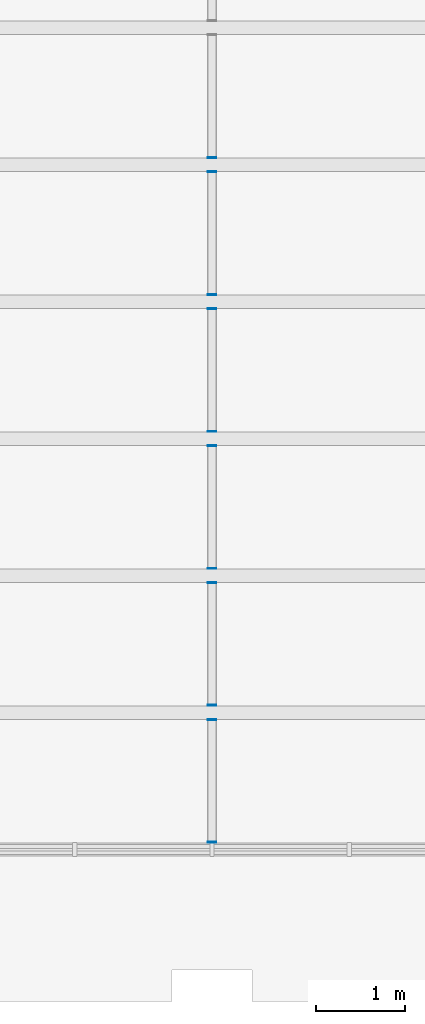
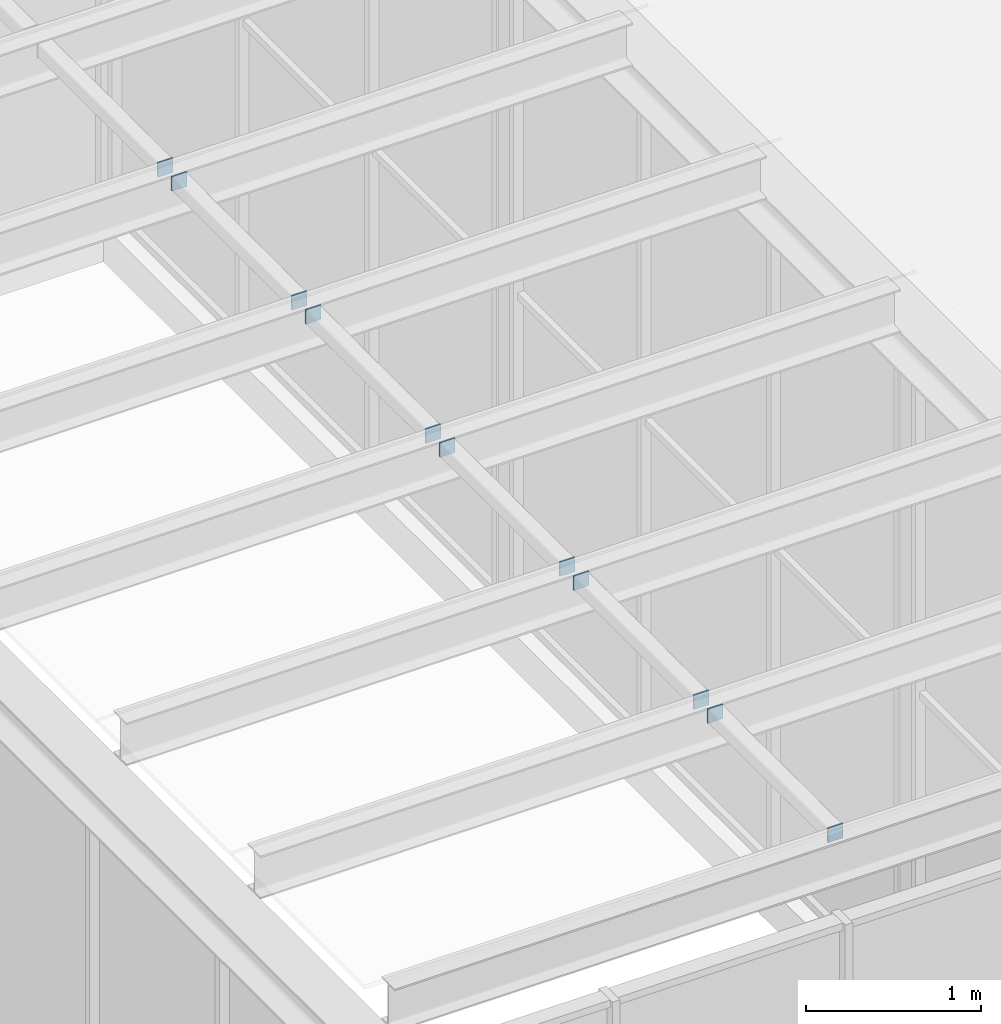
# One storey, part 19 of 25: 11 discrete accessories.
"""IFC4 building model written with IfcOpenShell, lengths in metres."""

from ifc_helpers import new_model, si_unit, direction, frame, origin, origin_2d, place, context, subcontext, project, spatial, rectangle, extrude, material, layer, layer_set, type_object, element, save


model = new_model("IFC4")

# Units and contexts
model_context = context("Model", 3, precision=1e-05, world=origin(), true_north=direction((0.0, 1.0)))
body_context = subcontext(model_context, "Body", "Model", "MODEL_VIEW")
ifc_project = project(units=[si_unit("LENGTHUNIT", "METRE"), si_unit("AREAUNIT", "SQUARE_METRE"), si_unit("VOLUMEUNIT", "CUBIC_METRE"), si_unit("PLANEANGLEUNIT", "RADIAN"), si_unit("MASSUNIT", "GRAM", prefix="KILO")], contexts=[model_context])

# Site, building, storey
site_placement = place(None, origin())
site = spatial("IfcSite", under=ifc_project, at=site_placement, CompositionType="ELEMENT")
building_placement = place(site_placement, origin())
building = spatial("IfcBuilding", under=site, at=building_placement, Name="Aurelan Courthouse", CompositionType="ELEMENT")
storey_placement = place(building_placement, frame((0.0, 0.0, 44.39990234375)))
storey = spatial("IfcBuildingStorey", under=building, at=storey_placement, Name="L08", CompositionType="ELEMENT", Elevation=44.39990234375)

# Discrete accessories
ifc_material = material(Name="Steel S355", Category="steel")
ifc_layer = layer(ifc_material, 0.010009765625)
ifc_layer_set = layer_set([ifc_layer], Name="Steel S355")
discrete_accessory_type = type_object("IfcDiscreteAccessoryType", Name="Purlin end plate 100 x 100 x 10", PredefinedType="ANCHORPLATE", material=ifc_layer_set)
for number, where, z_axis, x_axis, name in (
    (1, (45.0, 38.929931640625, 4.989990234375), (0.0, 0.0, 1.0), (1.0, 0.0, 0.0), "Purlin end plate LPE-V21-0101-1"),
    (2, (45.0, 40.30322265625, 4.989990234375), (0.0, 0.0, 1.0), (1.0, 0.0, 0.0), "Purlin end plate LPE-V21-0101-2"),
    (3, (45.0, 40.46337890625, 4.989990234375), (0.0, 0.0, 1.0), (1.0, 0.0, 0.0), "Purlin end plate LPE-V21-0201-1"),
    (4, (45.0, 41.836669921875, 4.989990234375), (0.0, 0.0, 1.0), (1.0, 0.0, 0.0), "Purlin end plate LPE-V21-0201-2"),
    (5, (45.0, 41.99658203125, 4.989990234375), (0.0, 0.0, 1.0), (1.0, 0.0, 0.0), "Purlin end plate LPE-V21-0301-1"),
    (6, (45.0, 43.3701171875, 4.989990234375), (0.0, 0.0, 1.0), (1.0, 0.0, 0.0), "Purlin end plate LPE-V21-0301-2"),
    (7, (45.0, 43.530029296875, 4.989990234375), (0.0, 0.0, 1.0), (1.0, 0.0, 0.0), "Purlin end plate LPE-V21-0401-1"),
    (8, (45.0, 44.9033203125, 4.989990234375), (0.0, 0.0, 1.0), (1.0, 0.0, 0.0), "Purlin end plate LPE-V21-0401-2"),
    (9, (45.0, 45.063232421875, 4.989990234375), (0.0, 0.0, 1.0), (1.0, 0.0, 0.0), "Purlin end plate LPE-V21-0501-1"),
    (10, (45.0, 46.436767578125, 4.989990234375), (0.0, 0.0, 1.0), (1.0, 0.0, 0.0), "Purlin end plate LPE-V21-0501-2"),
    (11, (45.0, 46.5966796875, 4.989990234375), (0.0, 0.0, 1.0), (1.0, 0.0, 0.0), "Purlin end plate LPE-V21-0601-1"),
):
    element("IfcDiscreteAccessory", number, at=place(storey_placement, frame(where, z_axis=z_axis, x_axis=x_axis)), inside=storey, type_object=discrete_accessory_type, Name=name, PredefinedType="ANCHORPLATE", context=body_context, shape_type="SweptSolid", body=[
        extrude(rectangle(XDim=0.10009765625, YDim=0.010009765625, at=origin_2d()), origin(), (0.0, 0.0, 1.0), 0.10009765625),
    ])

save(model, "model.ifc")
